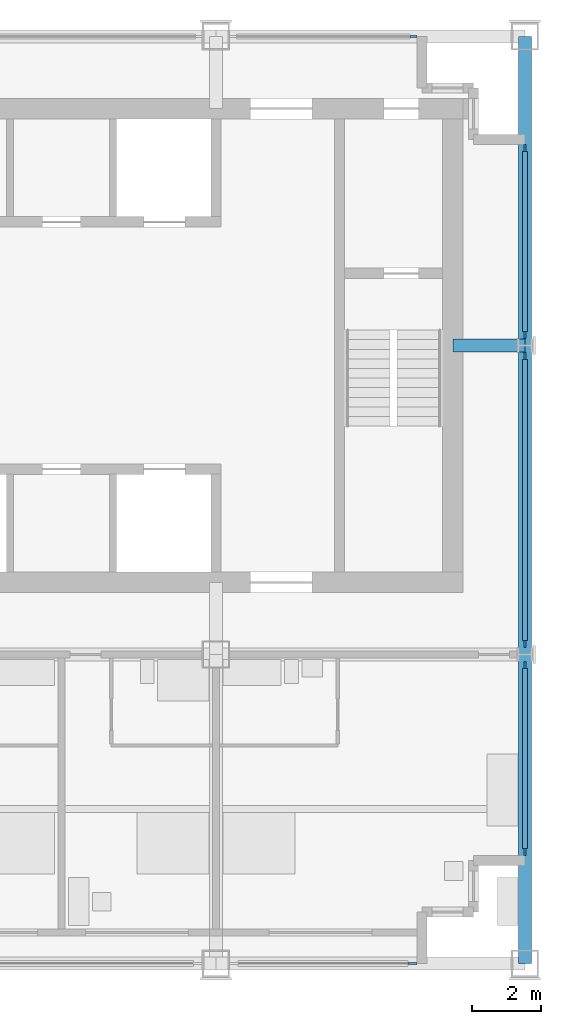
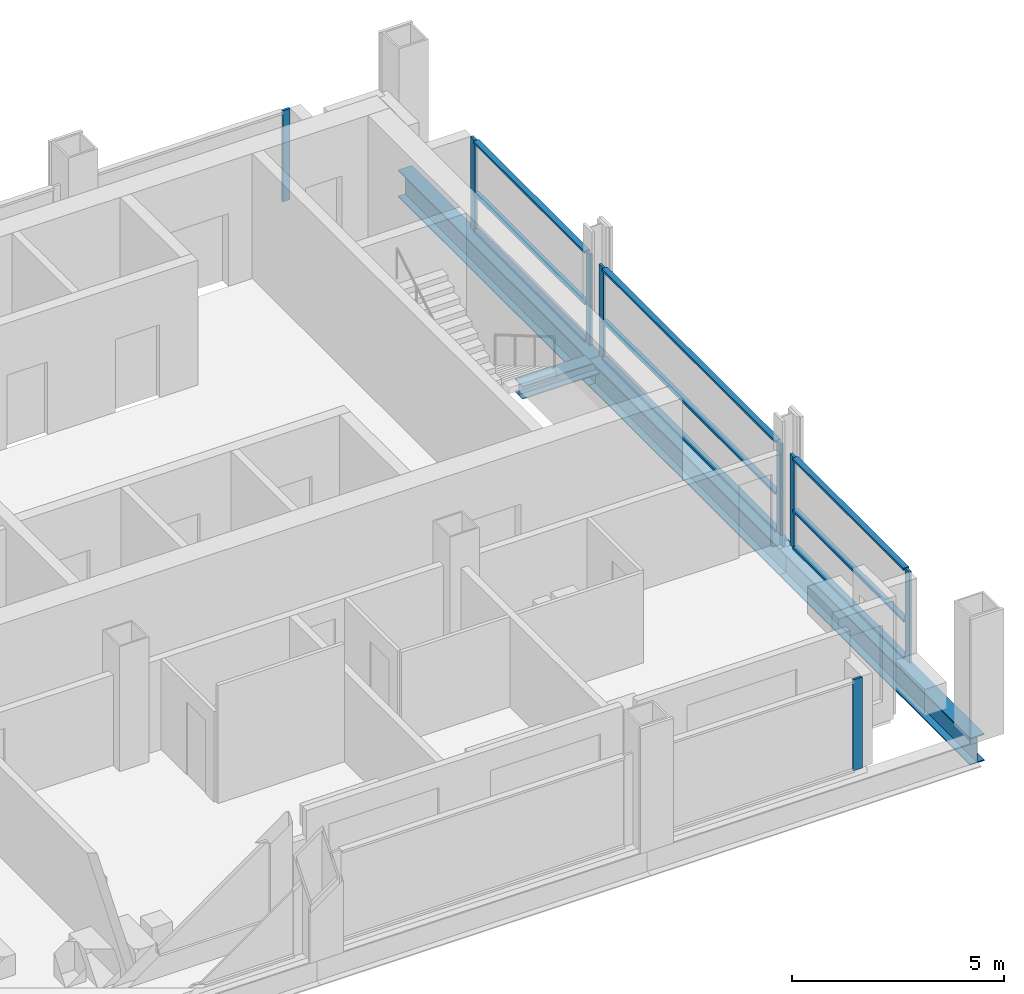
# One storey, part 4 of 12: 18 members, 3 beams, 5 elements without a shape of their own.
"""IFC4 building model written with IfcOpenShell, lengths in metres."""

from ifc_helpers import new_model, si_unit, direction, frame, origin, origin_2d, place, context, subcontext, project, spatial, rectangle, i_section, extrude, material, material_profile, profile_set, type_object, element, aggregate, save


model = new_model("IFC4")

# Units and contexts
model_context = context("Model", 3, precision=1e-05, world=origin(), true_north=direction((0.0, 1.0)))
body_context = subcontext(model_context, "Body", "Model", "MODEL_VIEW")
ifc_project = project(units=[si_unit("LENGTHUNIT", "METRE"), si_unit("AREAUNIT", "SQUARE_METRE"), si_unit("VOLUMEUNIT", "CUBIC_METRE"), si_unit("PLANEANGLEUNIT", "RADIAN"), si_unit("MASSUNIT", "GRAM", prefix="KILO")], contexts=[model_context])

# Site, building, storey
site_placement = place(None, origin())
site = spatial("IfcSite", under=ifc_project, at=site_placement, CompositionType="ELEMENT")
building_placement = place(site_placement, origin())
building = spatial("IfcBuilding", under=site, at=building_placement, Name="Loomwork Tower", CompositionType="ELEMENT")
storey_placement = place(building_placement, frame((0.0, 0.0, 233.800048828125)))
storey = spatial("IfcBuildingStorey", under=building, at=storey_placement, Name="L64", CompositionType="ELEMENT", Elevation=233.800048828125)

# Member
ifc_material_1 = material(Name="Steel ASTM A992", Category="steel")
ifc_material_profile_1 = material_profile(ifc_material_1, i_section(OverallWidth=0.373291015625, OverallDepth=0.373291015625, WebThickness=0.016357421875, FlangeThickness=0.026123046875, at=origin_2d()), Name="W14x132")
ifc_profile_set_1 = profile_set([ifc_material_profile_1], Name="Steel ASTM A992")
member_type_1 = type_object("IfcMemberType", Name="CORE LINK STRUT W14x132", PredefinedType="STRUT", material=ifc_profile_set_1)
member_1_placement = place(storey_placement, frame((36.0, 18.0, -0.38671875), z_axis=(-1.0, 0.0, 0.0), x_axis=(0.0, -1.0, 0.0)))
element("IfcMember", 1, at=member_1_placement, inside=storey, type_object=member_type_1, Name="Core link strut F/6-33.900,18.000 L64", PredefinedType="STRUT", context=body_context, shape_type="SweptSolid", body=[
    extrude(i_section(OverallWidth=0.373291015625, OverallDepth=0.373291015625, WebThickness=0.016357421875, FlangeThickness=0.026123046875, at=origin_2d()), origin(), (0.0, 0.0, 1.0), 2.10009765625),
])

# Curtain wall, member
ifc_material_2 = material(Name="Aluminium curtain wall frame", Category="aluminium")
curtain_wall_type_1 = type_object("IfcCurtainWallType", Name="Outer skin glazing suites", PredefinedType="NOTDEFINED", material=ifc_material_2)
curtain_wall_1_placement = place(storey_placement, origin())
curtain_wall_1 = element("IfcCurtainWall", 2, at=curtain_wall_1_placement, inside=storey, type_object=curtain_wall_type_1, Name="Outer skin glazing suites cw/S-27", PredefinedType="NOTDEFINED")
ifc_material_3 = material(Name="Aluminium curtain wall frame", Category="aluminium")
ifc_material_profile_2 = material_profile(ifc_material_3, rectangle(XDim=0.06494140625, YDim=0.25, at=origin_2d()), Name="AL 65x250")
ifc_profile_set_2 = profile_set([ifc_material_profile_2], Name="Aluminium curtain wall frame")
member_type_2 = type_object("IfcMemberType", Name="Outer skin glazing suites mullion", PredefinedType="MULLION", material=ifc_profile_set_2)
member_2_placement = place(storey_placement, frame((32.72509765625, 0.0, 0.0), z_axis=(0.0, 0.0, 1.0), x_axis=(0.0, 1.0, 0.0)))
member_2 = element("IfcMember", 3, at=member_2_placement, type_object=member_type_2, Name="CW2 mullion 2", PredefinedType="MULLION", context=body_context, shape_type="SweptSolid", body=[
    extrude(rectangle(XDim=0.06494140625, YDim=0.25, at=origin_2d()), origin(), (0.0, 0.0, 1.0), 2.6201171875),
])
aggregate(curtain_wall_1, [member_2])

# Beams
ifc_material_4 = material(Name="Steel ASTM A992", Category="steel")
ifc_material_profile_3 = material_profile(ifc_material_4, i_section(OverallWidth=0.381103515625, OverallDepth=0.77978515625, WebThickness=0.01806640625, FlangeThickness=0.0302734375, at=origin_2d()), Name="W30x191")
ifc_profile_set_3 = profile_set([ifc_material_profile_3], Name="Steel ASTM A992")
beam_type = type_object("IfcBeamType", Name="SPANDREL GIRDER W30x191", PredefinedType="SPANDREL", material=ifc_profile_set_3)
for number, where, z_axis, x_axis, name in (
    (4, (36.0, 0.0, -0.58984375), (0.0, 1.0, 0.0), (-1.0, 0.0, 0.0), "Spandrel Girder D/6-E/6 L64"),
    (5, (36.0, 9.0, -0.58984375), (0.0, 1.0, 0.0), (-1.0, 0.0, 0.0), "Spandrel Girder E/6-F/6 L64"),
    (6, (36.0, 18.0, -0.58984375), (0.0, 1.0, 0.0), (-1.0, 0.0, 0.0), "Spandrel Girder F/6-G/6 L64"),
):
    element("IfcBeam", number, at=place(storey_placement, frame(where, z_axis=z_axis, x_axis=x_axis)), inside=storey, type_object=beam_type, Name=name, PredefinedType="SPANDREL", context=body_context, shape_type="SweptSolid", body=[
        extrude(i_section(OverallWidth=0.381103515625, OverallDepth=0.77978515625, WebThickness=0.01806640625, FlangeThickness=0.0302734375, at=origin_2d()), origin(), (0.0, 0.0, 1.0), 9.0),
    ])

# Curtain wall, member
ifc_material_5 = material(Name="Aluminium curtain wall frame", Category="aluminium")
curtain_wall_type_2 = type_object("IfcCurtainWallType", Name="Single skin glazing corridor", PredefinedType="NOTDEFINED", material=ifc_material_5)
curtain_wall_2_placement = place(storey_placement, origin())
curtain_wall_2 = element("IfcCurtainWall", 7, at=curtain_wall_2_placement, inside=storey, type_object=curtain_wall_type_2, Name="Single skin glazing corridor cw/N-27", PredefinedType="NOTDEFINED")
ifc_material_6 = material(Name="Aluminium curtain wall frame", Category="aluminium")
ifc_material_profile_4 = material_profile(ifc_material_6, rectangle(XDim=0.06494140625, YDim=0.199951171875, at=origin_2d()), Name="AL 65x200")
ifc_profile_set_4 = profile_set([ifc_material_profile_4], Name="Aluminium curtain wall frame")
member_type_3 = type_object("IfcMemberType", Name="Single skin glazing corridor mullion", PredefinedType="MULLION", material=ifc_profile_set_4)
member_3_placement = place(storey_placement, frame((32.75, 27.0, 0.0), z_axis=(0.0, 0.0, 1.0), x_axis=(0.0, -1.0, 0.0)))
member_3 = element("IfcMember", 8, at=member_3_placement, type_object=member_type_3, Name="CW3 mullion 1", PredefinedType="MULLION", context=body_context, shape_type="SweptSolid", body=[
    extrude(rectangle(XDim=0.06494140625, YDim=0.199951171875, at=origin_2d()), origin(), (0.0, 0.0, 1.0), 2.6201171875),
])
aggregate(curtain_wall_2, [member_3])

# Curtain wall, members
curtain_wall_3_placement = place(storey_placement, origin())
curtain_wall_3 = element("IfcCurtainWall", 9, at=curtain_wall_3_placement, inside=storey, type_object=curtain_wall_type_2, Name="Single skin glazing corridor cw/E-0", PredefinedType="NOTDEFINED")
member_4_placement = place(storey_placement, frame((36.0, 3.25, 0.0), z_axis=(0.0, 0.0, 1.0), x_axis=(-1.0, 0.0, 0.0)))
member_4 = element("IfcMember", 10, at=member_4_placement, type_object=member_type_3, Name="CW3 mullion 1", PredefinedType="MULLION", context=body_context, shape_type="SweptSolid", body=[
    extrude(rectangle(XDim=0.06494140625, YDim=0.199951171875, at=origin_2d()), origin(), (0.0, 0.0, 1.0), 2.6201171875),
])
member_5_placement = place(storey_placement, frame((36.0, 8.689208984375, 0.0), z_axis=(0.0, 0.0, 1.0), x_axis=(-1.0, 0.0, 0.0)))
member_5 = element("IfcMember", 11, at=member_5_placement, type_object=member_type_3, Name="CW3 mullion 2", PredefinedType="MULLION", context=body_context, shape_type="SweptSolid", body=[
    extrude(rectangle(XDim=0.06494140625, YDim=0.199951171875, at=origin_2d()), origin(), (0.0, 0.0, 1.0), 2.6201171875),
])

curtain_wall_4_placement = place(storey_placement, origin())
curtain_wall_4 = element("IfcCurtainWall", 12, at=curtain_wall_4_placement, inside=storey, type_object=curtain_wall_type_2, Name="Single skin glazing corridor cw/E-9", PredefinedType="NOTDEFINED")
member_6_placement = place(storey_placement, frame((36.0, 9.310791015625, 0.0), z_axis=(0.0, 0.0, 1.0), x_axis=(-1.0, 0.0, 0.0)))
member_6 = element("IfcMember", 13, at=member_6_placement, type_object=member_type_3, Name="CW3 mullion 1", PredefinedType="MULLION", context=body_context, shape_type="SweptSolid", body=[
    extrude(rectangle(XDim=0.06494140625, YDim=0.199951171875, at=origin_2d()), origin(), (0.0, 0.0, 1.0), 2.6201171875),
])
member_7_placement = place(storey_placement, frame((36.0, 17.689208984375, 0.0), z_axis=(0.0, 0.0, 1.0), x_axis=(-1.0, 0.0, 0.0)))
member_7 = element("IfcMember", 14, at=member_7_placement, type_object=member_type_3, Name="CW3 mullion 2", PredefinedType="MULLION", context=body_context, shape_type="SweptSolid", body=[
    extrude(rectangle(XDim=0.06494140625, YDim=0.199951171875, at=origin_2d()), origin(), (0.0, 0.0, 1.0), 2.6201171875),
])

curtain_wall_5_placement = place(storey_placement, origin())
curtain_wall_5 = element("IfcCurtainWall", 15, at=curtain_wall_5_placement, inside=storey, type_object=curtain_wall_type_2, Name="Single skin glazing corridor cw/E-18", PredefinedType="NOTDEFINED")
member_8_placement = place(storey_placement, frame((36.0, 18.310791015625, 0.0), z_axis=(0.0, 0.0, 1.0), x_axis=(-1.0, 0.0, 0.0)))
member_8 = element("IfcMember", 16, at=member_8_placement, type_object=member_type_3, Name="CW3 mullion 1", PredefinedType="MULLION", context=body_context, shape_type="SweptSolid", body=[
    extrude(rectangle(XDim=0.06494140625, YDim=0.199951171875, at=origin_2d()), origin(), (0.0, 0.0, 1.0), 2.6201171875),
])
member_9_placement = place(storey_placement, frame((36.0, 23.75, 0.0), z_axis=(0.0, 0.0, 1.0), x_axis=(-1.0, 0.0, 0.0)))
member_9 = element("IfcMember", 17, at=member_9_placement, type_object=member_type_3, Name="CW3 mullion 2", PredefinedType="MULLION", context=body_context, shape_type="SweptSolid", body=[
    extrude(rectangle(XDim=0.06494140625, YDim=0.199951171875, at=origin_2d()), origin(), (0.0, 0.0, 1.0), 2.6201171875),
])

# Member
ifc_material_7 = material(Name="Aluminium curtain wall frame", Category="aluminium")
ifc_material_profile_5 = material_profile(ifc_material_7, rectangle(XDim=0.14990234375, YDim=0.06494140625, at=origin_2d()), Name="AL 65x150")
ifc_profile_set_5 = profile_set([ifc_material_profile_5], Name="Aluminium curtain wall frame")
member_type_4 = type_object("IfcMemberType", Name="Single skin glazing corridor transom", PredefinedType="USERDEFINED", material=ifc_profile_set_5)
member_10_placement = place(storey_placement, frame((36.0, 3.35009765625, 0.032470703125), z_axis=(0.0, 1.0, 0.0), x_axis=(-1.0, 0.0, 0.0)))
member_10 = element("IfcMember", 18, at=member_10_placement, type_object=member_type_4, Name="CW3 transom 1.1", ObjectType="TRANSOM", PredefinedType="USERDEFINED", context=body_context, shape_type="SweptSolid", body=[
    extrude(rectangle(XDim=0.14990234375, YDim=0.06494140625, at=origin_2d()), origin(), (0.0, 0.0, 1.0), 5.239013671875),
])

member_11_placement = place(storey_placement, frame((36.0, 3.35009765625, 1.099853515625), z_axis=(0.0, 1.0, 0.0), x_axis=(-1.0, 0.0, 0.0)))
member_11 = element("IfcMember", 19, at=member_11_placement, type_object=member_type_4, Name="CW3 transom 1.2", ObjectType="TRANSOM", PredefinedType="USERDEFINED", context=body_context, shape_type="SweptSolid", body=[
    extrude(rectangle(XDim=0.14990234375, YDim=0.06494140625, at=origin_2d()), origin(), (0.0, 0.0, 1.0), 5.239013671875),
])

member_12_placement = place(storey_placement, frame((36.0, 3.35009765625, 2.587646484375), z_axis=(0.0, 1.0, 0.0), x_axis=(-1.0, 0.0, 0.0)))
member_12 = element("IfcMember", 20, at=member_12_placement, type_object=member_type_4, Name="CW3 transom 1.3", ObjectType="TRANSOM", PredefinedType="USERDEFINED", context=body_context, shape_type="SweptSolid", body=[
    extrude(rectangle(XDim=0.14990234375, YDim=0.06494140625, at=origin_2d()), origin(), (0.0, 0.0, 1.0), 5.239013671875),
])

aggregate(curtain_wall_3, [member_4, member_5, member_10, member_11, member_12])

member_13_placement = place(storey_placement, frame((36.0, 9.410888671875, 0.032470703125), z_axis=(0.0, 1.0, 0.0), x_axis=(-1.0, 0.0, 0.0)))
member_13 = element("IfcMember", 21, at=member_13_placement, type_object=member_type_4, Name="CW3 transom 1.1", ObjectType="TRANSOM", PredefinedType="USERDEFINED", context=body_context, shape_type="SweptSolid", body=[
    extrude(rectangle(XDim=0.14990234375, YDim=0.06494140625, at=origin_2d()), origin(), (0.0, 0.0, 1.0), 8.17822265625),
])

member_14_placement = place(storey_placement, frame((36.0, 9.410888671875, 1.099853515625), z_axis=(0.0, 1.0, 0.0), x_axis=(-1.0, 0.0, 0.0)))
member_14 = element("IfcMember", 22, at=member_14_placement, type_object=member_type_4, Name="CW3 transom 1.2", ObjectType="TRANSOM", PredefinedType="USERDEFINED", context=body_context, shape_type="SweptSolid", body=[
    extrude(rectangle(XDim=0.14990234375, YDim=0.06494140625, at=origin_2d()), origin(), (0.0, 0.0, 1.0), 8.17822265625),
])

member_15_placement = place(storey_placement, frame((36.0, 9.410888671875, 2.587646484375), z_axis=(0.0, 1.0, 0.0), x_axis=(-1.0, 0.0, 0.0)))
member_15 = element("IfcMember", 23, at=member_15_placement, type_object=member_type_4, Name="CW3 transom 1.3", ObjectType="TRANSOM", PredefinedType="USERDEFINED", context=body_context, shape_type="SweptSolid", body=[
    extrude(rectangle(XDim=0.14990234375, YDim=0.06494140625, at=origin_2d()), origin(), (0.0, 0.0, 1.0), 8.17822265625),
])

aggregate(curtain_wall_4, [member_6, member_7, member_13, member_14, member_15])

member_16_placement = place(storey_placement, frame((36.0, 18.410888671875, 0.032470703125), z_axis=(0.0, 1.0, 0.0), x_axis=(-1.0, 0.0, 0.0)))
member_16 = element("IfcMember", 24, at=member_16_placement, type_object=member_type_4, Name="CW3 transom 1.1", ObjectType="TRANSOM", PredefinedType="USERDEFINED", context=body_context, shape_type="SweptSolid", body=[
    extrude(rectangle(XDim=0.14990234375, YDim=0.06494140625, at=origin_2d()), origin(), (0.0, 0.0, 1.0), 5.239013671875),
])

member_17_placement = place(storey_placement, frame((36.0, 18.410888671875, 1.099853515625), z_axis=(0.0, 1.0, 0.0), x_axis=(-1.0, 0.0, 0.0)))
member_17 = element("IfcMember", 25, at=member_17_placement, type_object=member_type_4, Name="CW3 transom 1.2", ObjectType="TRANSOM", PredefinedType="USERDEFINED", context=body_context, shape_type="SweptSolid", body=[
    extrude(rectangle(XDim=0.14990234375, YDim=0.06494140625, at=origin_2d()), origin(), (0.0, 0.0, 1.0), 5.239013671875),
])

member_18_placement = place(storey_placement, frame((36.0, 18.410888671875, 2.587646484375), z_axis=(0.0, 1.0, 0.0), x_axis=(-1.0, 0.0, 0.0)))
member_18 = element("IfcMember", 26, at=member_18_placement, type_object=member_type_4, Name="CW3 transom 1.3", ObjectType="TRANSOM", PredefinedType="USERDEFINED", context=body_context, shape_type="SweptSolid", body=[
    extrude(rectangle(XDim=0.14990234375, YDim=0.06494140625, at=origin_2d()), origin(), (0.0, 0.0, 1.0), 5.239013671875),
])

aggregate(curtain_wall_5, [member_8, member_9, member_16, member_17, member_18])

save(model, "model.ifc")
